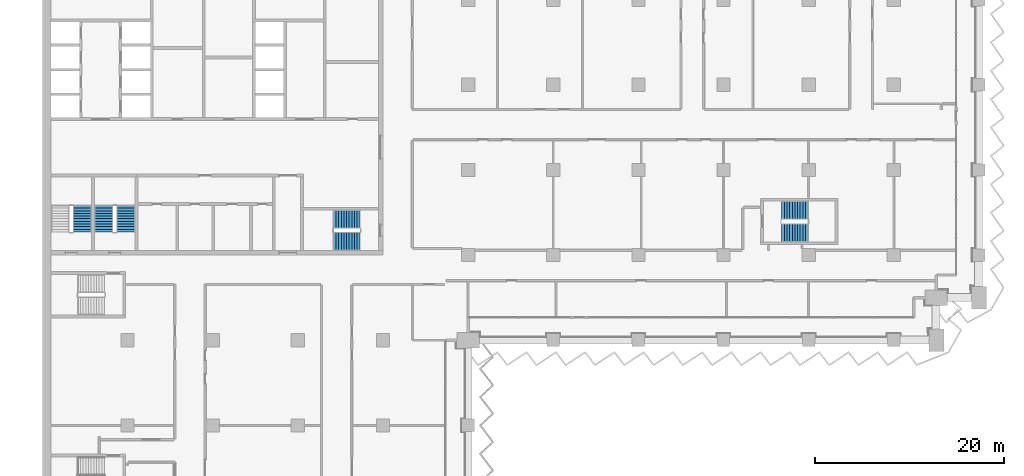
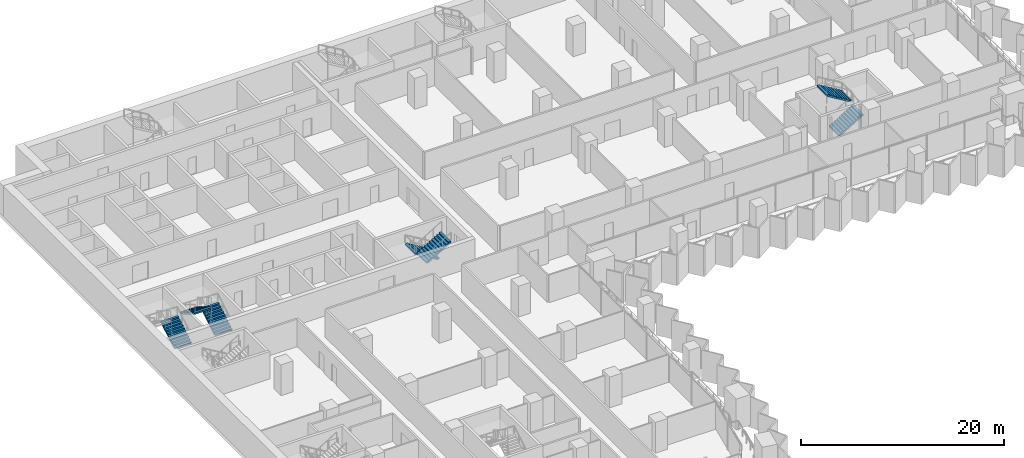
# One storey, part 21 of 29: 7 stair flights, 4 elements without a shape of their own.
"""IFC4 building model written with IfcOpenShell, lengths in metres."""

from ifc_helpers import new_model, si_unit, direction, frame, origin, place, context, subcontext, project, spatial, polyline, outline, extrude, material, type_object, element, aggregate, save


model = new_model("IFC4")

# Units and contexts
model_context = context("Model", 3, precision=1e-05, world=origin(), true_north=direction((0.0, 1.0)))
body_context = subcontext(model_context, "Body", "Model", "MODEL_VIEW")
ifc_project = project(units=[si_unit("LENGTHUNIT", "METRE"), si_unit("AREAUNIT", "SQUARE_METRE"), si_unit("VOLUMEUNIT", "CUBIC_METRE"), si_unit("PLANEANGLEUNIT", "RADIAN"), si_unit("MASSUNIT", "GRAM", prefix="KILO")], contexts=[model_context])

# Site, building, storey
site_placement = place(None, origin())
site = spatial("IfcSite", under=ifc_project, at=site_placement, CompositionType="ELEMENT")
building_placement = place(site_placement, origin())
building = spatial("IfcBuilding", under=site, at=building_placement, Name="Hunhe Ridgeline Campus", CompositionType="ELEMENT")
storey_placement = place(building_placement, frame((0.0, 0.0, 65.39990234375)))
storey = spatial("IfcBuildingStorey", under=building, at=storey_placement, Name="L15", CompositionType="ELEMENT", Elevation=65.39990234375)

# Stair, stair flights
ifc_material = material(Name="Concrete C40", Category="concrete")
stair_type = type_object("IfcStairType", Name="Reinforced concrete dog-leg stair 1950 Concrete C40", PredefinedType="HALF_TURN_STAIR", material=ifc_material)
stair_1_placement = place(storey_placement, origin())
stair_1 = element("IfcStair", 1, at=stair_1_placement, inside=storey, type_object=stair_type, Name="L15 S2", PredefinedType="HALF_TURN_STAIR")
stair_flight_type = type_object("IfcStairFlightType", Name="Reinforced concrete stair flight 1950 Concrete C40", PredefinedType="STRAIGHT", material=ifc_material)
stair_flight_1_placement = place(storey_placement, frame((33.550048828125, 66.77490234375, 0.0), z_axis=(0.0, 0.0, 1.0), x_axis=(-1.0, 0.0, 0.0)))
stair_flight_1 = element("IfcStairFlight", 2, at=stair_flight_1_placement, type_object=stair_flight_type, Name="ST2 flight 1", NumberOfRisers=11, NumberOfTreads=10, PredefinedType="STRAIGHT", RiserHeight=0.168181818, TreadLength=0.28, context=body_context, shape_type="SweptSolid", body=[
    extrude(outline(polyline([(0.0, 0.0), (0.0, 0.168212890625), (0.280029296875, 0.168212890625), (0.280029296875, 0.33642578125), (0.56005859375, 0.33642578125), (0.56005859375, 0.504638671875), (0.840087890625, 0.504638671875), (0.840087890625, 0.672607421875), (1.1201171875, 0.672607421875), (1.1201171875, 0.8408203125), (1.39990234375, 0.8408203125), (1.39990234375, 1.009033203125), (1.679931640625, 1.009033203125), (1.679931640625, 1.17724609375), (1.9599609375, 1.17724609375), (1.9599609375, 1.345458984375), (2.239990234375, 1.345458984375), (2.239990234375, 1.513671875), (2.52001953125, 1.513671875), (2.52001953125, 1.681884765625), (2.800048828125, 1.681884765625), (2.800048828125, 1.85009765625), (2.800048828125, 1.5068359375), (0.291015625, 0.0), (0.0, 0.0)])), frame((0.0, 0.97509765625, 0.0), z_axis=(0.0, -1.0, 0.0), x_axis=(1.0, 0.0, 0.0)), (0.0, 0.0, 1.0), 1.949951171875),
    extrude(outline(polyline([(0.030029296875, 0.030029296875), (0.030029296875, 0.13818359375), (0.31005859375, 0.13818359375), (0.31005859375, 0.306396484375), (0.590087890625, 0.306396484375), (0.590087890625, 0.474609375), (0.8701171875, 0.474609375), (0.8701171875, 0.642578125), (1.14990234375, 0.642578125), (1.14990234375, 0.810791015625), (1.429931640625, 0.810791015625), (1.429931640625, 0.97900390625), (1.7099609375, 0.97900390625), (1.7099609375, 1.147216796875), (1.989990234375, 1.147216796875), (1.989990234375, 1.3154296875), (2.27001953125, 1.3154296875), (2.27001953125, 1.483642578125), (2.550048828125, 1.483642578125), (2.550048828125, 1.65185546875), (2.77001953125, 1.65185546875), (2.77001953125, 1.52392578125), (0.28271484375, 0.030029296875), (0.030029296875, 0.030029296875)])), frame((0.0, -0.070068359375, 0.0), z_axis=(0.0, -1.0, 0.0), x_axis=(1.0, 0.0, 0.0)), (0.0, 0.0, 1.0), 0.019775390625),
    extrude(outline(polyline([(0.030029296875, 0.030029296875), (0.030029296875, 0.13818359375), (0.31005859375, 0.13818359375), (0.31005859375, 0.306396484375), (0.590087890625, 0.306396484375), (0.590087890625, 0.474609375), (0.8701171875, 0.474609375), (0.8701171875, 0.642578125), (1.14990234375, 0.642578125), (1.14990234375, 0.810791015625), (1.429931640625, 0.810791015625), (1.429931640625, 0.97900390625), (1.7099609375, 0.97900390625), (1.7099609375, 1.147216796875), (1.989990234375, 1.147216796875), (1.989990234375, 1.3154296875), (2.27001953125, 1.3154296875), (2.27001953125, 1.483642578125), (2.550048828125, 1.483642578125), (2.550048828125, 1.65185546875), (2.77001953125, 1.65185546875), (2.77001953125, 1.52392578125), (0.28271484375, 0.030029296875), (0.030029296875, 0.030029296875)])), frame((0.0, 0.010009765625, 0.0), z_axis=(0.0, -1.0, 0.0), x_axis=(1.0, 0.0, 0.0)), (0.0, 0.0, 1.0), 0.019775390625),
    extrude(outline(polyline([(0.030029296875, 0.030029296875), (0.030029296875, 0.13818359375), (0.31005859375, 0.13818359375), (0.31005859375, 0.306396484375), (0.590087890625, 0.306396484375), (0.590087890625, 0.474609375), (0.8701171875, 0.474609375), (0.8701171875, 0.642578125), (1.14990234375, 0.642578125), (1.14990234375, 0.810791015625), (1.429931640625, 0.810791015625), (1.429931640625, 0.97900390625), (1.7099609375, 0.97900390625), (1.7099609375, 1.147216796875), (1.989990234375, 1.147216796875), (1.989990234375, 1.3154296875), (2.27001953125, 1.3154296875), (2.27001953125, 1.483642578125), (2.550048828125, 1.483642578125), (2.550048828125, 1.65185546875), (2.77001953125, 1.65185546875), (2.77001953125, 1.52392578125), (0.28271484375, 0.030029296875), (0.030029296875, 0.030029296875)])), frame((0.0, 0.090087890625, 0.0), z_axis=(0.0, -1.0, 0.0), x_axis=(1.0, 0.0, 0.0)), (0.0, 0.0, 1.0), 0.019775390625),
])
stair_flight_2_placement = place(storey_placement, frame((30.75, 64.47509765625, 1.85009765625), z_axis=(0.0, 0.0, 1.0), x_axis=(1.0, 0.0, 0.0)))
stair_flight_2 = element("IfcStairFlight", 3, at=stair_flight_2_placement, type_object=stair_flight_type, Name="ST2 flight 2", NumberOfRisers=11, NumberOfTreads=10, PredefinedType="STRAIGHT", RiserHeight=0.168181818, TreadLength=0.28, context=body_context, shape_type="SweptSolid", body=[
    extrude(outline(polyline([(0.0, 0.0), (0.0, 0.168212890625), (0.280029296875, 0.168212890625), (0.280029296875, 0.33642578125), (0.56005859375, 0.33642578125), (0.56005859375, 0.504638671875), (0.840087890625, 0.504638671875), (0.840087890625, 0.672607421875), (1.1201171875, 0.672607421875), (1.1201171875, 0.8408203125), (1.39990234375, 0.8408203125), (1.39990234375, 1.009033203125), (1.679931640625, 1.009033203125), (1.679931640625, 1.17724609375), (1.9599609375, 1.17724609375), (1.9599609375, 1.345458984375), (2.239990234375, 1.345458984375), (2.239990234375, 1.513671875), (2.52001953125, 1.513671875), (2.52001953125, 1.681884765625), (2.800048828125, 1.681884765625), (2.800048828125, 1.85009765625), (2.800048828125, 1.5068359375), (0.291015625, 0.0), (0.0, 0.0)])), frame((0.0, 0.97509765625, 0.0), z_axis=(0.0, -1.0, 0.0), x_axis=(1.0, 0.0, 0.0)), (0.0, 0.0, 1.0), 1.949951171875),
    extrude(outline(polyline([(0.030029296875, 0.030029296875), (0.030029296875, 0.13818359375), (0.31005859375, 0.13818359375), (0.31005859375, 0.306396484375), (0.590087890625, 0.306396484375), (0.590087890625, 0.474609375), (0.8701171875, 0.474609375), (0.8701171875, 0.642578125), (1.14990234375, 0.642578125), (1.14990234375, 0.810791015625), (1.429931640625, 0.810791015625), (1.429931640625, 0.97900390625), (1.7099609375, 0.97900390625), (1.7099609375, 1.147216796875), (1.989990234375, 1.147216796875), (1.989990234375, 1.3154296875), (2.27001953125, 1.3154296875), (2.27001953125, 1.483642578125), (2.550048828125, 1.483642578125), (2.550048828125, 1.65185546875), (2.77001953125, 1.65185546875), (2.77001953125, 1.52392578125), (0.28271484375, 0.030029296875), (0.030029296875, 0.030029296875)])), frame((0.0, -0.070068359375, 0.0), z_axis=(0.0, -1.0, 0.0), x_axis=(1.0, 0.0, 0.0)), (0.0, 0.0, 1.0), 0.019775390625),
    extrude(outline(polyline([(0.030029296875, 0.030029296875), (0.030029296875, 0.13818359375), (0.31005859375, 0.13818359375), (0.31005859375, 0.306396484375), (0.590087890625, 0.306396484375), (0.590087890625, 0.474609375), (0.8701171875, 0.474609375), (0.8701171875, 0.642578125), (1.14990234375, 0.642578125), (1.14990234375, 0.810791015625), (1.429931640625, 0.810791015625), (1.429931640625, 0.97900390625), (1.7099609375, 0.97900390625), (1.7099609375, 1.147216796875), (1.989990234375, 1.147216796875), (1.989990234375, 1.3154296875), (2.27001953125, 1.3154296875), (2.27001953125, 1.483642578125), (2.550048828125, 1.483642578125), (2.550048828125, 1.65185546875), (2.77001953125, 1.65185546875), (2.77001953125, 1.52392578125), (0.28271484375, 0.030029296875), (0.030029296875, 0.030029296875)])), frame((0.0, 0.010009765625, 0.0), z_axis=(0.0, -1.0, 0.0), x_axis=(1.0, 0.0, 0.0)), (0.0, 0.0, 1.0), 0.019775390625),
    extrude(outline(polyline([(0.030029296875, 0.030029296875), (0.030029296875, 0.13818359375), (0.31005859375, 0.13818359375), (0.31005859375, 0.306396484375), (0.590087890625, 0.306396484375), (0.590087890625, 0.474609375), (0.8701171875, 0.474609375), (0.8701171875, 0.642578125), (1.14990234375, 0.642578125), (1.14990234375, 0.810791015625), (1.429931640625, 0.810791015625), (1.429931640625, 0.97900390625), (1.7099609375, 0.97900390625), (1.7099609375, 1.147216796875), (1.989990234375, 1.147216796875), (1.989990234375, 1.3154296875), (2.27001953125, 1.3154296875), (2.27001953125, 1.483642578125), (2.550048828125, 1.483642578125), (2.550048828125, 1.65185546875), (2.77001953125, 1.65185546875), (2.77001953125, 1.52392578125), (0.28271484375, 0.030029296875), (0.030029296875, 0.030029296875)])), frame((0.0, 0.090087890625, 0.0), z_axis=(0.0, -1.0, 0.0), x_axis=(1.0, 0.0, 0.0)), (0.0, 0.0, 1.0), 0.019775390625),
])
aggregate(stair_1, [stair_flight_1, stair_flight_2])

# Stair, stair flight
stair_2_placement = place(storey_placement, origin())
stair_2 = element("IfcStair", 4, at=stair_2_placement, inside=storey, type_object=stair_type, Name="L15 S3", PredefinedType="HALF_TURN_STAIR")
stair_flight_3_placement = place(storey_placement, frame((4.22509765625, 65.449951171875, 0.0), z_axis=(0.0, 0.0, 1.0), x_axis=(0.0, 1.0, 0.0)))
stair_flight_3 = element("IfcStairFlight", 5, at=stair_flight_3_placement, type_object=stair_flight_type, Name="ST3 flight 1", NumberOfRisers=11, NumberOfTreads=10, PredefinedType="STRAIGHT", RiserHeight=0.168181818, TreadLength=0.28, context=body_context, shape_type="SweptSolid", body=[
    extrude(outline(polyline([(0.0, 0.0), (0.0, 0.168212890625), (0.280029296875, 0.168212890625), (0.280029296875, 0.33642578125), (0.56005859375, 0.33642578125), (0.56005859375, 0.504638671875), (0.840087890625, 0.504638671875), (0.840087890625, 0.672607421875), (1.1201171875, 0.672607421875), (1.1201171875, 0.8408203125), (1.39990234375, 0.8408203125), (1.39990234375, 1.009033203125), (1.679931640625, 1.009033203125), (1.679931640625, 1.17724609375), (1.9599609375, 1.17724609375), (1.9599609375, 1.345458984375), (2.239990234375, 1.345458984375), (2.239990234375, 1.513671875), (2.52001953125, 1.513671875), (2.52001953125, 1.681884765625), (2.800048828125, 1.681884765625), (2.800048828125, 1.85009765625), (2.800048828125, 1.5068359375), (0.291015625, 0.0), (0.0, 0.0)])), frame((0.0, 0.97509765625, 0.0), z_axis=(0.0, -1.0, 0.0), x_axis=(1.0, 0.0, 0.0)), (0.0, 0.0, 1.0), 1.949951171875),
    extrude(outline(polyline([(0.030029296875, 0.030029296875), (0.030029296875, 0.13818359375), (0.31005859375, 0.13818359375), (0.31005859375, 0.306396484375), (0.590087890625, 0.306396484375), (0.590087890625, 0.474609375), (0.8701171875, 0.474609375), (0.8701171875, 0.642578125), (1.14990234375, 0.642578125), (1.14990234375, 0.810791015625), (1.429931640625, 0.810791015625), (1.429931640625, 0.97900390625), (1.7099609375, 0.97900390625), (1.7099609375, 1.147216796875), (1.989990234375, 1.147216796875), (1.989990234375, 1.3154296875), (2.27001953125, 1.3154296875), (2.27001953125, 1.483642578125), (2.550048828125, 1.483642578125), (2.550048828125, 1.65185546875), (2.77001953125, 1.65185546875), (2.77001953125, 1.52392578125), (0.28271484375, 0.030029296875), (0.030029296875, 0.030029296875)])), frame((0.0, -0.070068359375, 0.0), z_axis=(0.0, -1.0, 0.0), x_axis=(1.0, 0.0, 0.0)), (0.0, 0.0, 1.0), 0.019775390625),
    extrude(outline(polyline([(0.030029296875, 0.030029296875), (0.030029296875, 0.13818359375), (0.31005859375, 0.13818359375), (0.31005859375, 0.306396484375), (0.590087890625, 0.306396484375), (0.590087890625, 0.474609375), (0.8701171875, 0.474609375), (0.8701171875, 0.642578125), (1.14990234375, 0.642578125), (1.14990234375, 0.810791015625), (1.429931640625, 0.810791015625), (1.429931640625, 0.97900390625), (1.7099609375, 0.97900390625), (1.7099609375, 1.147216796875), (1.989990234375, 1.147216796875), (1.989990234375, 1.3154296875), (2.27001953125, 1.3154296875), (2.27001953125, 1.483642578125), (2.550048828125, 1.483642578125), (2.550048828125, 1.65185546875), (2.77001953125, 1.65185546875), (2.77001953125, 1.52392578125), (0.28271484375, 0.030029296875), (0.030029296875, 0.030029296875)])), frame((0.0, 0.010009765625, 0.0), z_axis=(0.0, -1.0, 0.0), x_axis=(1.0, 0.0, 0.0)), (0.0, 0.0, 1.0), 0.019775390625),
    extrude(outline(polyline([(0.030029296875, 0.030029296875), (0.030029296875, 0.13818359375), (0.31005859375, 0.13818359375), (0.31005859375, 0.306396484375), (0.590087890625, 0.306396484375), (0.590087890625, 0.474609375), (0.8701171875, 0.474609375), (0.8701171875, 0.642578125), (1.14990234375, 0.642578125), (1.14990234375, 0.810791015625), (1.429931640625, 0.810791015625), (1.429931640625, 0.97900390625), (1.7099609375, 0.97900390625), (1.7099609375, 1.147216796875), (1.989990234375, 1.147216796875), (1.989990234375, 1.3154296875), (2.27001953125, 1.3154296875), (2.27001953125, 1.483642578125), (2.550048828125, 1.483642578125), (2.550048828125, 1.65185546875), (2.77001953125, 1.65185546875), (2.77001953125, 1.52392578125), (0.28271484375, 0.030029296875), (0.030029296875, 0.030029296875)])), frame((0.0, 0.090087890625, 0.0), z_axis=(0.0, -1.0, 0.0), x_axis=(1.0, 0.0, 0.0)), (0.0, 0.0, 1.0), 0.019775390625),
])
aggregate(stair_2, [stair_flight_3])

# Stair, stair flights
stair_3_placement = place(storey_placement, origin())
stair_3 = element("IfcStair", 6, at=stair_3_placement, inside=storey, type_object=stair_type, Name="L15 S4", PredefinedType="HALF_TURN_STAIR")
stair_flight_4_placement = place(storey_placement, frame((8.824951171875, 65.449951171875, 0.0), z_axis=(0.0, 0.0, 1.0), x_axis=(0.0, 1.0, 0.0)))
stair_flight_4 = element("IfcStairFlight", 7, at=stair_flight_4_placement, type_object=stair_flight_type, Name="ST4 flight 1", NumberOfRisers=11, NumberOfTreads=10, PredefinedType="STRAIGHT", RiserHeight=0.168181818, TreadLength=0.28, context=body_context, shape_type="SweptSolid", body=[
    extrude(outline(polyline([(0.0, 0.0), (0.0, 0.168212890625), (0.280029296875, 0.168212890625), (0.280029296875, 0.33642578125), (0.56005859375, 0.33642578125), (0.56005859375, 0.504638671875), (0.840087890625, 0.504638671875), (0.840087890625, 0.672607421875), (1.1201171875, 0.672607421875), (1.1201171875, 0.8408203125), (1.39990234375, 0.8408203125), (1.39990234375, 1.009033203125), (1.679931640625, 1.009033203125), (1.679931640625, 1.17724609375), (1.9599609375, 1.17724609375), (1.9599609375, 1.345458984375), (2.239990234375, 1.345458984375), (2.239990234375, 1.513671875), (2.52001953125, 1.513671875), (2.52001953125, 1.681884765625), (2.800048828125, 1.681884765625), (2.800048828125, 1.85009765625), (2.800048828125, 1.5068359375), (0.291015625, 0.0), (0.0, 0.0)])), frame((0.0, 0.97509765625, 0.0), z_axis=(0.0, -1.0, 0.0), x_axis=(1.0, 0.0, 0.0)), (0.0, 0.0, 1.0), 1.949951171875),
    extrude(outline(polyline([(0.030029296875, 0.030029296875), (0.030029296875, 0.13818359375), (0.31005859375, 0.13818359375), (0.31005859375, 0.306396484375), (0.590087890625, 0.306396484375), (0.590087890625, 0.474609375), (0.8701171875, 0.474609375), (0.8701171875, 0.642578125), (1.14990234375, 0.642578125), (1.14990234375, 0.810791015625), (1.429931640625, 0.810791015625), (1.429931640625, 0.97900390625), (1.7099609375, 0.97900390625), (1.7099609375, 1.147216796875), (1.989990234375, 1.147216796875), (1.989990234375, 1.3154296875), (2.27001953125, 1.3154296875), (2.27001953125, 1.483642578125), (2.550048828125, 1.483642578125), (2.550048828125, 1.65185546875), (2.77001953125, 1.65185546875), (2.77001953125, 1.52392578125), (0.28271484375, 0.030029296875), (0.030029296875, 0.030029296875)])), frame((0.0, -0.070068359375, 0.0), z_axis=(0.0, -1.0, 0.0), x_axis=(1.0, 0.0, 0.0)), (0.0, 0.0, 1.0), 0.019775390625),
    extrude(outline(polyline([(0.030029296875, 0.030029296875), (0.030029296875, 0.13818359375), (0.31005859375, 0.13818359375), (0.31005859375, 0.306396484375), (0.590087890625, 0.306396484375), (0.590087890625, 0.474609375), (0.8701171875, 0.474609375), (0.8701171875, 0.642578125), (1.14990234375, 0.642578125), (1.14990234375, 0.810791015625), (1.429931640625, 0.810791015625), (1.429931640625, 0.97900390625), (1.7099609375, 0.97900390625), (1.7099609375, 1.147216796875), (1.989990234375, 1.147216796875), (1.989990234375, 1.3154296875), (2.27001953125, 1.3154296875), (2.27001953125, 1.483642578125), (2.550048828125, 1.483642578125), (2.550048828125, 1.65185546875), (2.77001953125, 1.65185546875), (2.77001953125, 1.52392578125), (0.28271484375, 0.030029296875), (0.030029296875, 0.030029296875)])), frame((0.0, 0.010009765625, 0.0), z_axis=(0.0, -1.0, 0.0), x_axis=(1.0, 0.0, 0.0)), (0.0, 0.0, 1.0), 0.019775390625),
    extrude(outline(polyline([(0.030029296875, 0.030029296875), (0.030029296875, 0.13818359375), (0.31005859375, 0.13818359375), (0.31005859375, 0.306396484375), (0.590087890625, 0.306396484375), (0.590087890625, 0.474609375), (0.8701171875, 0.474609375), (0.8701171875, 0.642578125), (1.14990234375, 0.642578125), (1.14990234375, 0.810791015625), (1.429931640625, 0.810791015625), (1.429931640625, 0.97900390625), (1.7099609375, 0.97900390625), (1.7099609375, 1.147216796875), (1.989990234375, 1.147216796875), (1.989990234375, 1.3154296875), (2.27001953125, 1.3154296875), (2.27001953125, 1.483642578125), (2.550048828125, 1.483642578125), (2.550048828125, 1.65185546875), (2.77001953125, 1.65185546875), (2.77001953125, 1.52392578125), (0.28271484375, 0.030029296875), (0.030029296875, 0.030029296875)])), frame((0.0, 0.090087890625, 0.0), z_axis=(0.0, -1.0, 0.0), x_axis=(1.0, 0.0, 0.0)), (0.0, 0.0, 1.0), 0.019775390625),
])
stair_flight_5_placement = place(storey_placement, frame((6.47509765625, 68.25, 1.85009765625), z_axis=(0.0, 0.0, 1.0), x_axis=(0.0, -1.0, 0.0)))
stair_flight_5 = element("IfcStairFlight", 8, at=stair_flight_5_placement, type_object=stair_flight_type, Name="ST4 flight 2", NumberOfRisers=11, NumberOfTreads=10, PredefinedType="STRAIGHT", RiserHeight=0.168181818, TreadLength=0.28, context=body_context, shape_type="SweptSolid", body=[
    extrude(outline(polyline([(0.0, 0.0), (0.0, 0.168212890625), (0.280029296875, 0.168212890625), (0.280029296875, 0.33642578125), (0.56005859375, 0.33642578125), (0.56005859375, 0.504638671875), (0.840087890625, 0.504638671875), (0.840087890625, 0.672607421875), (1.1201171875, 0.672607421875), (1.1201171875, 0.8408203125), (1.39990234375, 0.8408203125), (1.39990234375, 1.009033203125), (1.679931640625, 1.009033203125), (1.679931640625, 1.17724609375), (1.9599609375, 1.17724609375), (1.9599609375, 1.345458984375), (2.239990234375, 1.345458984375), (2.239990234375, 1.513671875), (2.52001953125, 1.513671875), (2.52001953125, 1.681884765625), (2.800048828125, 1.681884765625), (2.800048828125, 1.85009765625), (2.800048828125, 1.5068359375), (0.291015625, 0.0), (0.0, 0.0)])), frame((0.0, 0.97509765625, 0.0), z_axis=(0.0, -1.0, 0.0), x_axis=(1.0, 0.0, 0.0)), (0.0, 0.0, 1.0), 1.949951171875),
    extrude(outline(polyline([(0.030029296875, 0.030029296875), (0.030029296875, 0.13818359375), (0.31005859375, 0.13818359375), (0.31005859375, 0.306396484375), (0.590087890625, 0.306396484375), (0.590087890625, 0.474609375), (0.8701171875, 0.474609375), (0.8701171875, 0.642578125), (1.14990234375, 0.642578125), (1.14990234375, 0.810791015625), (1.429931640625, 0.810791015625), (1.429931640625, 0.97900390625), (1.7099609375, 0.97900390625), (1.7099609375, 1.147216796875), (1.989990234375, 1.147216796875), (1.989990234375, 1.3154296875), (2.27001953125, 1.3154296875), (2.27001953125, 1.483642578125), (2.550048828125, 1.483642578125), (2.550048828125, 1.65185546875), (2.77001953125, 1.65185546875), (2.77001953125, 1.52392578125), (0.28271484375, 0.030029296875), (0.030029296875, 0.030029296875)])), frame((0.0, -0.070068359375, 0.0), z_axis=(0.0, -1.0, 0.0), x_axis=(1.0, 0.0, 0.0)), (0.0, 0.0, 1.0), 0.019775390625),
    extrude(outline(polyline([(0.030029296875, 0.030029296875), (0.030029296875, 0.13818359375), (0.31005859375, 0.13818359375), (0.31005859375, 0.306396484375), (0.590087890625, 0.306396484375), (0.590087890625, 0.474609375), (0.8701171875, 0.474609375), (0.8701171875, 0.642578125), (1.14990234375, 0.642578125), (1.14990234375, 0.810791015625), (1.429931640625, 0.810791015625), (1.429931640625, 0.97900390625), (1.7099609375, 0.97900390625), (1.7099609375, 1.147216796875), (1.989990234375, 1.147216796875), (1.989990234375, 1.3154296875), (2.27001953125, 1.3154296875), (2.27001953125, 1.483642578125), (2.550048828125, 1.483642578125), (2.550048828125, 1.65185546875), (2.77001953125, 1.65185546875), (2.77001953125, 1.52392578125), (0.28271484375, 0.030029296875), (0.030029296875, 0.030029296875)])), frame((0.0, 0.010009765625, 0.0), z_axis=(0.0, -1.0, 0.0), x_axis=(1.0, 0.0, 0.0)), (0.0, 0.0, 1.0), 0.019775390625),
    extrude(outline(polyline([(0.030029296875, 0.030029296875), (0.030029296875, 0.13818359375), (0.31005859375, 0.13818359375), (0.31005859375, 0.306396484375), (0.590087890625, 0.306396484375), (0.590087890625, 0.474609375), (0.8701171875, 0.474609375), (0.8701171875, 0.642578125), (1.14990234375, 0.642578125), (1.14990234375, 0.810791015625), (1.429931640625, 0.810791015625), (1.429931640625, 0.97900390625), (1.7099609375, 0.97900390625), (1.7099609375, 1.147216796875), (1.989990234375, 1.147216796875), (1.989990234375, 1.3154296875), (2.27001953125, 1.3154296875), (2.27001953125, 1.483642578125), (2.550048828125, 1.483642578125), (2.550048828125, 1.65185546875), (2.77001953125, 1.65185546875), (2.77001953125, 1.52392578125), (0.28271484375, 0.030029296875), (0.030029296875, 0.030029296875)])), frame((0.0, 0.090087890625, 0.0), z_axis=(0.0, -1.0, 0.0), x_axis=(1.0, 0.0, 0.0)), (0.0, 0.0, 1.0), 0.019775390625),
])
aggregate(stair_3, [stair_flight_4, stair_flight_5])

stair_4_placement = place(storey_placement, origin())
stair_4 = element("IfcStair", 9, at=stair_4_placement, inside=storey, type_object=stair_type, Name="L15 E5", PredefinedType="HALF_TURN_STAIR")
stair_flight_6_placement = place(storey_placement, frame((78.14990234375, 65.375, 0.0), z_axis=(0.0, 0.0, 1.0), x_axis=(1.0, 0.0, 0.0)))
stair_flight_6 = element("IfcStairFlight", 10, at=stair_flight_6_placement, type_object=stair_flight_type, Name="ST10 flight 1", NumberOfRisers=11, NumberOfTreads=10, PredefinedType="STRAIGHT", RiserHeight=0.168181818, TreadLength=0.28, context=body_context, shape_type="SweptSolid", body=[
    extrude(outline(polyline([(0.0, 0.0), (0.0, 0.168212890625), (0.280029296875, 0.168212890625), (0.280029296875, 0.33642578125), (0.56005859375, 0.33642578125), (0.56005859375, 0.504638671875), (0.840087890625, 0.504638671875), (0.840087890625, 0.672607421875), (1.1201171875, 0.672607421875), (1.1201171875, 0.8408203125), (1.39990234375, 0.8408203125), (1.39990234375, 1.009033203125), (1.679931640625, 1.009033203125), (1.679931640625, 1.17724609375), (1.9599609375, 1.17724609375), (1.9599609375, 1.345458984375), (2.239990234375, 1.345458984375), (2.239990234375, 1.513671875), (2.52001953125, 1.513671875), (2.52001953125, 1.681884765625), (2.800048828125, 1.681884765625), (2.800048828125, 1.85009765625), (2.800048828125, 1.5068359375), (0.291015625, 0.0), (0.0, 0.0)])), frame((0.0, 0.97509765625, 0.0), z_axis=(0.0, -1.0, 0.0), x_axis=(1.0, 0.0, 0.0)), (0.0, 0.0, 1.0), 1.949951171875),
    extrude(outline(polyline([(0.030029296875, 0.030029296875), (0.030029296875, 0.13818359375), (0.31005859375, 0.13818359375), (0.31005859375, 0.306396484375), (0.590087890625, 0.306396484375), (0.590087890625, 0.474609375), (0.8701171875, 0.474609375), (0.8701171875, 0.642578125), (1.14990234375, 0.642578125), (1.14990234375, 0.810791015625), (1.429931640625, 0.810791015625), (1.429931640625, 0.97900390625), (1.7099609375, 0.97900390625), (1.7099609375, 1.147216796875), (1.989990234375, 1.147216796875), (1.989990234375, 1.3154296875), (2.27001953125, 1.3154296875), (2.27001953125, 1.483642578125), (2.550048828125, 1.483642578125), (2.550048828125, 1.65185546875), (2.77001953125, 1.65185546875), (2.77001953125, 1.52392578125), (0.28271484375, 0.030029296875), (0.030029296875, 0.030029296875)])), frame((0.0, -0.070068359375, 0.0), z_axis=(0.0, -1.0, 0.0), x_axis=(1.0, 0.0, 0.0)), (0.0, 0.0, 1.0), 0.019775390625),
    extrude(outline(polyline([(0.030029296875, 0.030029296875), (0.030029296875, 0.13818359375), (0.31005859375, 0.13818359375), (0.31005859375, 0.306396484375), (0.590087890625, 0.306396484375), (0.590087890625, 0.474609375), (0.8701171875, 0.474609375), (0.8701171875, 0.642578125), (1.14990234375, 0.642578125), (1.14990234375, 0.810791015625), (1.429931640625, 0.810791015625), (1.429931640625, 0.97900390625), (1.7099609375, 0.97900390625), (1.7099609375, 1.147216796875), (1.989990234375, 1.147216796875), (1.989990234375, 1.3154296875), (2.27001953125, 1.3154296875), (2.27001953125, 1.483642578125), (2.550048828125, 1.483642578125), (2.550048828125, 1.65185546875), (2.77001953125, 1.65185546875), (2.77001953125, 1.52392578125), (0.28271484375, 0.030029296875), (0.030029296875, 0.030029296875)])), frame((0.0, 0.010009765625, 0.0), z_axis=(0.0, -1.0, 0.0), x_axis=(1.0, 0.0, 0.0)), (0.0, 0.0, 1.0), 0.019775390625),
    extrude(outline(polyline([(0.030029296875, 0.030029296875), (0.030029296875, 0.13818359375), (0.31005859375, 0.13818359375), (0.31005859375, 0.306396484375), (0.590087890625, 0.306396484375), (0.590087890625, 0.474609375), (0.8701171875, 0.474609375), (0.8701171875, 0.642578125), (1.14990234375, 0.642578125), (1.14990234375, 0.810791015625), (1.429931640625, 0.810791015625), (1.429931640625, 0.97900390625), (1.7099609375, 0.97900390625), (1.7099609375, 1.147216796875), (1.989990234375, 1.147216796875), (1.989990234375, 1.3154296875), (2.27001953125, 1.3154296875), (2.27001953125, 1.483642578125), (2.550048828125, 1.483642578125), (2.550048828125, 1.65185546875), (2.77001953125, 1.65185546875), (2.77001953125, 1.52392578125), (0.28271484375, 0.030029296875), (0.030029296875, 0.030029296875)])), frame((0.0, 0.090087890625, 0.0), z_axis=(0.0, -1.0, 0.0), x_axis=(1.0, 0.0, 0.0)), (0.0, 0.0, 1.0), 0.019775390625),
])
stair_flight_7_placement = place(storey_placement, frame((80.949951171875, 67.72509765625, 1.85009765625), z_axis=(0.0, 0.0, 1.0), x_axis=(-1.0, 0.0, 0.0)))
stair_flight_7 = element("IfcStairFlight", 11, at=stair_flight_7_placement, type_object=stair_flight_type, Name="ST10 flight 2", NumberOfRisers=11, NumberOfTreads=10, PredefinedType="STRAIGHT", RiserHeight=0.168181818, TreadLength=0.28, context=body_context, shape_type="SweptSolid", body=[
    extrude(outline(polyline([(0.0, 0.0), (0.0, 0.168212890625), (0.280029296875, 0.168212890625), (0.280029296875, 0.33642578125), (0.56005859375, 0.33642578125), (0.56005859375, 0.504638671875), (0.840087890625, 0.504638671875), (0.840087890625, 0.672607421875), (1.1201171875, 0.672607421875), (1.1201171875, 0.8408203125), (1.39990234375, 0.8408203125), (1.39990234375, 1.009033203125), (1.679931640625, 1.009033203125), (1.679931640625, 1.17724609375), (1.9599609375, 1.17724609375), (1.9599609375, 1.345458984375), (2.239990234375, 1.345458984375), (2.239990234375, 1.513671875), (2.52001953125, 1.513671875), (2.52001953125, 1.681884765625), (2.800048828125, 1.681884765625), (2.800048828125, 1.85009765625), (2.800048828125, 1.5068359375), (0.291015625, 0.0), (0.0, 0.0)])), frame((0.0, 0.97509765625, 0.0), z_axis=(0.0, -1.0, 0.0), x_axis=(1.0, 0.0, 0.0)), (0.0, 0.0, 1.0), 1.949951171875),
    extrude(outline(polyline([(0.030029296875, 0.030029296875), (0.030029296875, 0.13818359375), (0.31005859375, 0.13818359375), (0.31005859375, 0.306396484375), (0.590087890625, 0.306396484375), (0.590087890625, 0.474609375), (0.8701171875, 0.474609375), (0.8701171875, 0.642578125), (1.14990234375, 0.642578125), (1.14990234375, 0.810791015625), (1.429931640625, 0.810791015625), (1.429931640625, 0.97900390625), (1.7099609375, 0.97900390625), (1.7099609375, 1.147216796875), (1.989990234375, 1.147216796875), (1.989990234375, 1.3154296875), (2.27001953125, 1.3154296875), (2.27001953125, 1.483642578125), (2.550048828125, 1.483642578125), (2.550048828125, 1.65185546875), (2.77001953125, 1.65185546875), (2.77001953125, 1.52392578125), (0.28271484375, 0.030029296875), (0.030029296875, 0.030029296875)])), frame((0.0, -0.070068359375, 0.0), z_axis=(0.0, -1.0, 0.0), x_axis=(1.0, 0.0, 0.0)), (0.0, 0.0, 1.0), 0.019775390625),
    extrude(outline(polyline([(0.030029296875, 0.030029296875), (0.030029296875, 0.13818359375), (0.31005859375, 0.13818359375), (0.31005859375, 0.306396484375), (0.590087890625, 0.306396484375), (0.590087890625, 0.474609375), (0.8701171875, 0.474609375), (0.8701171875, 0.642578125), (1.14990234375, 0.642578125), (1.14990234375, 0.810791015625), (1.429931640625, 0.810791015625), (1.429931640625, 0.97900390625), (1.7099609375, 0.97900390625), (1.7099609375, 1.147216796875), (1.989990234375, 1.147216796875), (1.989990234375, 1.3154296875), (2.27001953125, 1.3154296875), (2.27001953125, 1.483642578125), (2.550048828125, 1.483642578125), (2.550048828125, 1.65185546875), (2.77001953125, 1.65185546875), (2.77001953125, 1.52392578125), (0.28271484375, 0.030029296875), (0.030029296875, 0.030029296875)])), frame((0.0, 0.010009765625, 0.0), z_axis=(0.0, -1.0, 0.0), x_axis=(1.0, 0.0, 0.0)), (0.0, 0.0, 1.0), 0.019775390625),
    extrude(outline(polyline([(0.030029296875, 0.030029296875), (0.030029296875, 0.13818359375), (0.31005859375, 0.13818359375), (0.31005859375, 0.306396484375), (0.590087890625, 0.306396484375), (0.590087890625, 0.474609375), (0.8701171875, 0.474609375), (0.8701171875, 0.642578125), (1.14990234375, 0.642578125), (1.14990234375, 0.810791015625), (1.429931640625, 0.810791015625), (1.429931640625, 0.97900390625), (1.7099609375, 0.97900390625), (1.7099609375, 1.147216796875), (1.989990234375, 1.147216796875), (1.989990234375, 1.3154296875), (2.27001953125, 1.3154296875), (2.27001953125, 1.483642578125), (2.550048828125, 1.483642578125), (2.550048828125, 1.65185546875), (2.77001953125, 1.65185546875), (2.77001953125, 1.52392578125), (0.28271484375, 0.030029296875), (0.030029296875, 0.030029296875)])), frame((0.0, 0.090087890625, 0.0), z_axis=(0.0, -1.0, 0.0), x_axis=(1.0, 0.0, 0.0)), (0.0, 0.0, 1.0), 0.019775390625),
])
aggregate(stair_4, [stair_flight_6, stair_flight_7])

save(model, "model.ifc")
